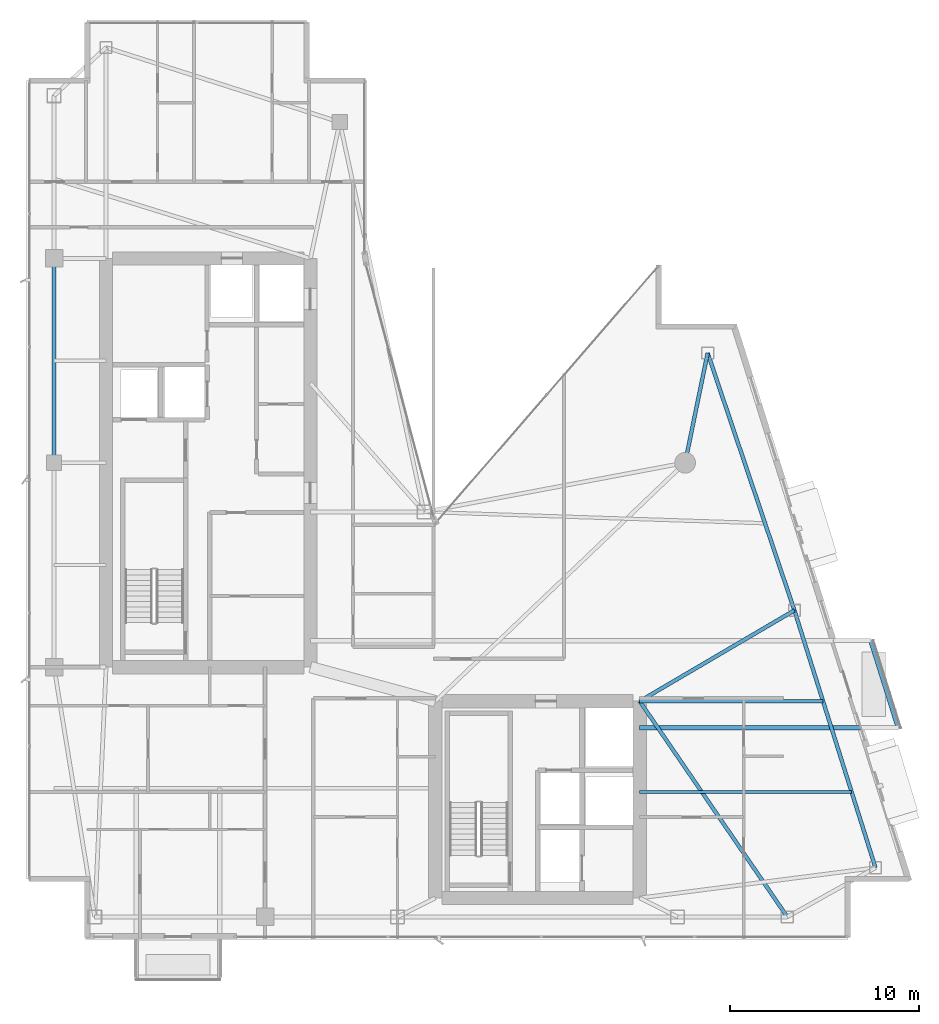
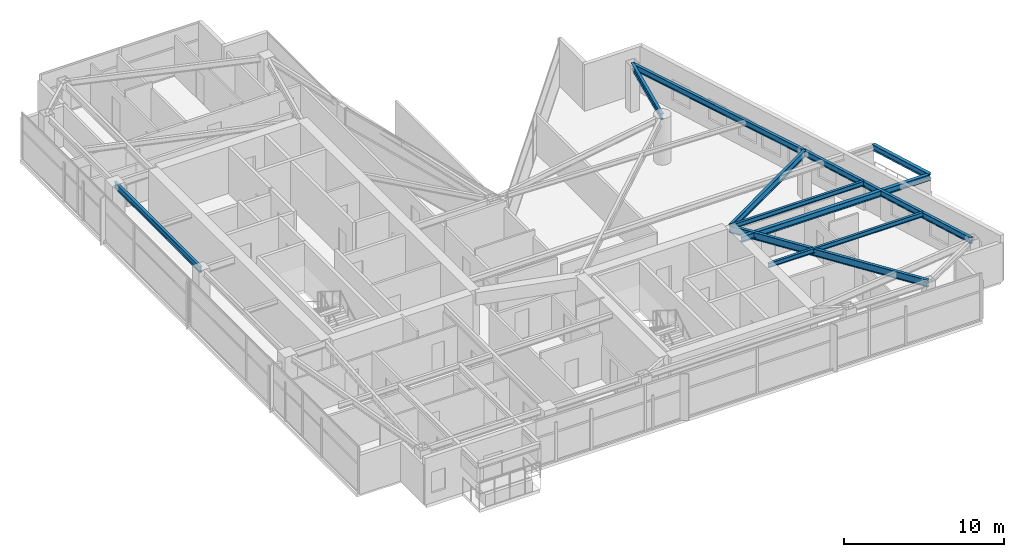
# One storey, part 15 of 29: 10 beams.
"""IFC4 building model written with IfcOpenShell, lengths in metres."""

from ifc_helpers import new_model, si_unit, direction, frame, origin, origin_2d, place, context, subcontext, project, spatial, i_section, extrude, material, material_profile, profile_set, type_object, element, save


model = new_model("IFC4")

# Units and contexts
model_context = context("Model", 3, precision=1e-05, world=origin(), true_north=direction((0.0, 1.0)))
body_context = subcontext(model_context, "Body", "Model", "MODEL_VIEW")
ifc_project = project(units=[si_unit("LENGTHUNIT", "METRE"), si_unit("AREAUNIT", "SQUARE_METRE"), si_unit("VOLUMEUNIT", "CUBIC_METRE"), si_unit("PLANEANGLEUNIT", "RADIAN"), si_unit("MASSUNIT", "GRAM", prefix="KILO")], contexts=[model_context])

# Site, building, storey
site_placement = place(None, origin())
site = spatial("IfcSite", under=ifc_project, at=site_placement, CompositionType="ELEMENT")
building_placement = place(site_placement, origin())
building = spatial("IfcBuilding", under=site, at=building_placement, Name="Calvorn Quay Hotel", CompositionType="ELEMENT")
storey_placement = place(building_placement, frame((0.0, 0.0, 247.60009765625)))
storey = spatial("IfcBuildingStorey", under=building, at=storey_placement, Name="L61", CompositionType="ELEMENT", Elevation=247.60009765625)

# Beams
ifc_material_1 = material(Name="Steel Q355B", Category="steel")
ifc_material_profile_1 = material_profile(ifc_material_1, i_section(OverallWidth=0.25, OverallDepth=0.449951171875, WebThickness=0.011962890625, FlangeThickness=0.01611328125, FilletRadius=0.01611328125, at=origin_2d()), Name="HN450x250x12x16")
ifc_profile_set_1 = profile_set([ifc_material_profile_1], Name="Steel Q355B")
beam_type_1 = type_object("IfcBeamType", Name="BM-CANT-BALC", PredefinedType="BEAM", material=ifc_profile_set_1)
beam_1_placement = place(storey_placement, frame((32.39990234375, 13.60009765625, 3.31494140625), z_axis=(1.0, 0.0, 0.0), x_axis=(0.0, 1.0, 0.0)))
element("IfcBeam", 1, at=beam_1_placement, inside=storey, type_object=beam_type_1, Name="Cantilever Balcony Beam BCB-L62-1A", PredefinedType="BEAM", context=body_context, shape_type="SweptSolid", body=[
    extrude(i_section(OverallWidth=0.25, OverallDepth=0.449951171875, WebThickness=0.011962890625, FlangeThickness=0.01611328125, FilletRadius=0.01611328125, at=origin_2d()), origin(), (0.0, 0.0, 1.0), 13.669189453125),
])
beam_2_placement = place(storey_placement, frame((46.069091796875, 13.60009765625, 3.31494140625), z_axis=(-0.300450487966, 0.953797412599, 0.0), x_axis=(-0.953797412599, -0.300450487966, 0.0)))
element("IfcBeam", 2, at=beam_2_placement, inside=storey, type_object=beam_type_1, Name="Beam BCBO-L62-1", PredefinedType="BEAM", context=body_context, shape_type="SweptSolid", body=[
    extrude(i_section(OverallWidth=0.25, OverallDepth=0.449951171875, WebThickness=0.011962890625, FlangeThickness=0.01611328125, FilletRadius=0.01611328125, at=origin_2d()), origin(), (0.0, 0.0, 1.0), 4.82275390625),
])
ifc_material_2 = material(Name="Steel Q355B", Category="steel")
ifc_material_profile_2 = material_profile(ifc_material_2, i_section(OverallWidth=0.199951171875, OverallDepth=0.550048828125, WebThickness=0.010009765625, FlangeThickness=0.01611328125, FilletRadius=0.01806640625, at=origin_2d()), Name="HN550x200x10x16")
ifc_profile_set_2 = profile_set([ifc_material_profile_2], Name="Steel Q355B")
beam_type_2 = type_object("IfcBeamType", Name="BM-GIRD-UPP", PredefinedType="BEAM", material=ifc_profile_set_2)
beam_3_placement = place(storey_placement, frame((32.39990234375, 15.0, 3.264892578125), z_axis=(0.862366169926, 0.506285086653, 0.0), x_axis=(-0.506285086653, 0.862366169926, 0.0)))
element("IfcBeam", 3, at=beam_3_placement, inside=storey, type_object=beam_type_2, Name="Beam BG-L61-E2", PredefinedType="BEAM", context=body_context, shape_type="SweptSolid", body=[
    extrude(i_section(OverallWidth=0.199951171875, OverallDepth=0.550048828125, WebThickness=0.010009765625, FlangeThickness=0.01611328125, FilletRadius=0.01806640625, at=origin_2d()), origin(), (0.0, 0.0, 1.0), 9.48095703125),
])
beam_4_placement = place(storey_placement, frame((40.199951171875, 3.60009765625, 3.264892578125), z_axis=(-0.564689618177, 0.825303359452, 0.0), x_axis=(-0.825303359452, -0.564689618177, 0.0)))
element("IfcBeam", 4, at=beam_4_placement, inside=storey, type_object=beam_type_2, Name="Beam BG-L61-E6", PredefinedType="BEAM", context=body_context, shape_type="SweptSolid", body=[
    extrude(i_section(OverallWidth=0.199951171875, OverallDepth=0.550048828125, WebThickness=0.010009765625, FlangeThickness=0.01611328125, FilletRadius=0.01806640625, at=origin_2d()), origin(), (0.0, 0.0, 1.0), 13.81298828125),
])
ifc_material_3 = material(Name="Steel Q355B", Category="steel")
ifc_material_profile_3 = material_profile(ifc_material_3, i_section(OverallWidth=0.175048828125, OverallDepth=0.35009765625, WebThickness=0.007080078125, FlangeThickness=0.010986328125, FilletRadius=0.013916015625, at=origin_2d()), Name="HN350x175x7x11")
ifc_profile_set_3 = profile_set([ifc_material_profile_3], Name="Steel Q355B")
beam_type_3 = type_object("IfcBeamType", Name="BM-JOIST-SEC", PredefinedType="JOIST", material=ifc_profile_set_3)
beam_5_placement = place(storey_placement, frame((32.39990234375, 10.199951171875, 3.364990234375), z_axis=(1.0, 0.0, 0.0), x_axis=(0.0, 1.0, 0.0)))
element("IfcBeam", 5, at=beam_5_placement, inside=storey, type_object=beam_type_3, Name="Beam BJ-L61-E1", PredefinedType="JOIST", context=body_context, shape_type="SweptSolid", body=[
    extrude(i_section(OverallWidth=0.175048828125, OverallDepth=0.35009765625, WebThickness=0.007080078125, FlangeThickness=0.010986328125, FilletRadius=0.013916015625, at=origin_2d()), origin(), (0.0, 0.0, 1.0), 11.201171875),
])
beam_6_placement = place(storey_placement, frame((32.39990234375, 15.0, 3.364990234375), z_axis=(1.0, 0.0, 0.0), x_axis=(0.0, 1.0, 0.0)))
element("IfcBeam", 6, at=beam_6_placement, inside=storey, type_object=beam_type_3, Name="Beam BJ-L61-E2", PredefinedType="JOIST", context=body_context, shape_type="SweptSolid", body=[
    extrude(i_section(OverallWidth=0.175048828125, OverallDepth=0.35009765625, WebThickness=0.007080078125, FlangeThickness=0.010986328125, FilletRadius=0.013916015625, at=origin_2d()), origin(), (0.0, 0.0, 1.0), 9.68798828125),
])
ifc_material_4 = material(Name="Steel Q355B", Category="steel")
ifc_material_profile_4 = material_profile(ifc_material_4, i_section(OverallWidth=0.199951171875, OverallDepth=0.449951171875, WebThickness=0.009033203125, FlangeThickness=0.013916015625, FilletRadius=0.01611328125, at=origin_2d()), Name="HN450x200x9x14")
ifc_profile_set_4 = profile_set([ifc_material_profile_4], Name="Steel Q355B")
beam_type_4 = type_object("IfcBeamType", Name="BM-SPANDREL-Z3", PredefinedType="SPANDREL", material=ifc_profile_set_4)
beam_7_placement = place(storey_placement, frame((1.449951171875, 27.60009765625, 3.31494140625), z_axis=(0.0, 1.0, 0.0), x_axis=(-1.0, 0.0, 0.0)))
element("IfcBeam", 7, at=beam_7_placement, inside=storey, type_object=beam_type_4, Name="Beam BSP-L61-W3", PredefinedType="SPANDREL", context=body_context, shape_type="SweptSolid", body=[
    extrude(i_section(OverallWidth=0.199951171875, OverallDepth=0.449951171875, WebThickness=0.009033203125, FlangeThickness=0.013916015625, FilletRadius=0.01611328125, at=origin_2d()), origin(), (0.0, 0.0, 1.0), 10.7998046875),
])
beam_8_placement = place(storey_placement, frame((44.861083984375, 6.199951171875, 3.31494140625), z_axis=(-0.300518378216, 0.953776024208, 0.0), x_axis=(-0.953776024208, -0.300518378216, 0.0)))
element("IfcBeam", 8, at=beam_8_placement, inside=storey, type_object=beam_type_4, Name="Beam BSP-L61-E1", PredefinedType="SPANDREL", context=body_context, shape_type="SweptSolid", body=[
    extrude(i_section(OverallWidth=0.199951171875, OverallDepth=0.449951171875, WebThickness=0.009033203125, FlangeThickness=0.013916015625, FilletRadius=0.01611328125, at=origin_2d()), origin(), (0.0, 0.0, 1.0), 14.25927734375),
])
beam_9_placement = place(storey_placement, frame((40.575927734375, 19.800048828125, 3.31494140625), z_axis=(-0.319466515944, 0.947597564998, 0.0), x_axis=(-0.947597564998, -0.319466515944, 0.0)))
element("IfcBeam", 9, at=beam_9_placement, inside=storey, type_object=beam_type_4, Name="Beam BSP-L61-E2", PredefinedType="SPANDREL", context=body_context, shape_type="SweptSolid", body=[
    extrude(i_section(OverallWidth=0.199951171875, OverallDepth=0.449951171875, WebThickness=0.009033203125, FlangeThickness=0.013916015625, FilletRadius=0.01611328125, at=origin_2d()), origin(), (0.0, 0.0, 1.0), 14.35205078125),
])
beam_10_placement = place(storey_placement, frame((35.990966796875, 33.39990234375, 3.31494140625), z_axis=(-0.201140971716, -0.979562305061, 0.0), x_axis=(0.979562305061, -0.201140971716, 0.0)))
element("IfcBeam", 10, at=beam_10_placement, inside=storey, type_object=beam_type_4, Name="Beam BSP-L61-E3", PredefinedType="SPANDREL", context=body_context, shape_type="SweptSolid", body=[
    extrude(i_section(OverallWidth=0.199951171875, OverallDepth=0.449951171875, WebThickness=0.009033203125, FlangeThickness=0.013916015625, FilletRadius=0.01611328125, at=origin_2d()), origin(), (0.0, 0.0, 1.0), 5.9208984375),
])

save(model, "model.ifc")
